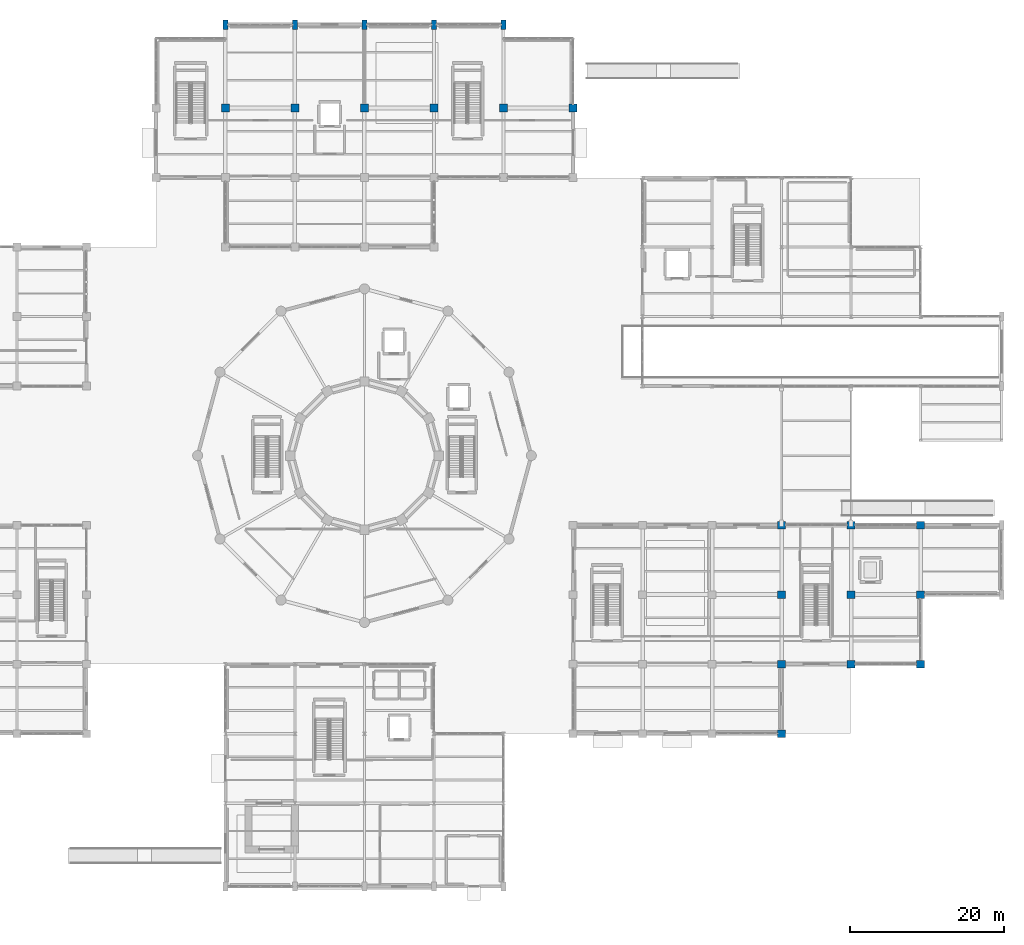
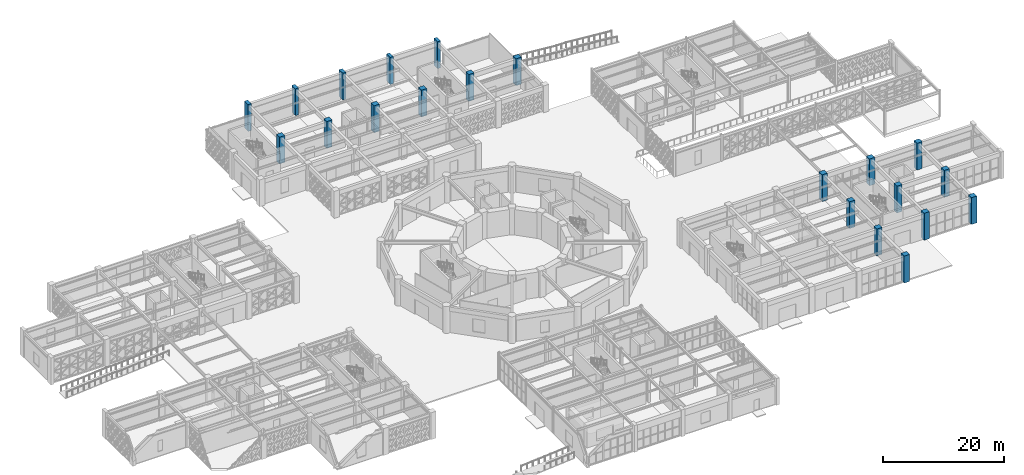
# One storey, part 5 of 140: 21 columns.
"""IFC4 building model written with IfcOpenShell, lengths in metres."""

from ifc_helpers import new_model, si_unit, direction, frame, origin, origin_2d, place, context, subcontext, project, spatial, rectangle, extrude, material, material_profile, profile_set, type_object, element, save


model = new_model("IFC4")

# Units and contexts
model_context = context("Model", 3, precision=1e-05, world=origin(), true_north=direction((0.0, 1.0)))
body_context = subcontext(model_context, "Body", "Model", "MODEL_VIEW")
ifc_project = project(units=[si_unit("LENGTHUNIT", "METRE"), si_unit("AREAUNIT", "SQUARE_METRE"), si_unit("VOLUMEUNIT", "CUBIC_METRE"), si_unit("PLANEANGLEUNIT", "RADIAN"), si_unit("MASSUNIT", "GRAM", prefix="KILO")], contexts=[model_context])

# Site, building, storey
site_placement = place(None, origin())
site = spatial("IfcSite", under=ifc_project, at=site_placement, CompositionType="ELEMENT")
building_placement = place(site_placement, origin())
building = spatial("IfcBuilding", under=site, at=building_placement, Name="Haizhuo Lancet Aquarium", CompositionType="ELEMENT")
storey_placement = place(building_placement, origin())
storey = spatial("IfcBuildingStorey", under=building, at=storey_placement, Name="L00", CompositionType="ELEMENT", Elevation=0.0)

# Columns
ifc_material_1 = material(Name="Concrete C50/60", Category="concrete")
ifc_material_profile_1 = material_profile(ifc_material_1, rectangle(XDim=1.0, YDim=1.0, at=origin_2d()), Name="RC-COL 1000x1000")
ifc_profile_set_1 = profile_set([ifc_material_profile_1], Name="Concrete C50/60")
column_type_1 = type_object("IfcColumnType", Name="COL-RC-1000", PredefinedType="COLUMN", material=ifc_profile_set_1)
for number, where, z_axis, x_axis, name in (
    (1, (54.0, -36.0, 0.0), (0.0, 0.0, 1.0), (1.0, 0.0, 0.0), "L00 column V3-COL-054"),
    (2, (54.0, -27.0, 0.0), (0.0, 0.0, 1.0), (1.0, 0.0, 0.0), "L00 column V3-COL-055"),
    (3, (54.0, -18.0, 0.0), (0.0, 0.0, 1.0), (1.0, 0.0, 0.0), "L00 column V3-COL-056"),
    (4, (54.0, -9.0, 0.0), (0.0, 0.0, 1.0), (1.0, 0.0, 0.0), "L00 column V3-COL-057"),
    (5, (63.0, -27.0, 0.0), (0.0, 0.0, 1.0), (1.0, 0.0, 0.0), "L00 column V3-COL-058"),
    (6, (63.0, -18.0, 0.0), (0.0, 0.0, 1.0), (1.0, 0.0, 0.0), "L00 column V3-COL-059"),
    (7, (63.0, -9.0, 0.0), (0.0, 0.0, 1.0), (1.0, 0.0, 0.0), "L00 column V3-COL-060"),
    (8, (72.0, -27.0, 0.0), (0.0, 0.0, 1.0), (1.0, 0.0, 0.0), "L00 column V3-COL-061"),
    (9, (72.0, -18.0, 0.0), (0.0, 0.0, 1.0), (1.0, 0.0, 0.0), "L00 column V3-COL-062"),
    (10, (72.0, -9.0, 0.0), (0.0, 0.0, 1.0), (1.0, 0.0, 0.0), "L00 column V3-COL-063"),
    (11, (-18.0, 45.0, 0.0), (0.0, 0.0, 1.0), (1.0, 0.0, 0.0), "L00 column V5-COL-089"),
    (12, (-9.0, 45.0, 0.0), (0.0, 0.0, 1.0), (1.0, 0.0, 0.0), "L00 column V5-COL-093"),
    (13, (0.0, 45.0, 0.0), (0.0, 0.0, 1.0), (1.0, 0.0, 0.0), "L00 column V5-COL-097"),
    (14, (9.0, 45.0, 0.0), (0.0, 0.0, 1.0), (1.0, 0.0, 0.0), "L00 column V5-COL-101"),
    (15, (18.0, 45.0, 0.0), (0.0, 0.0, 1.0), (1.0, 0.0, 0.0), "L00 column V5-COL-104"),
    (16, (27.0, 45.0, 0.0), (0.0, 0.0, 1.0), (1.0, 0.0, 0.0), "L00 column V5-COL-107"),
):
    element("IfcColumn", number, at=place(storey_placement, frame(where, z_axis=z_axis, x_axis=x_axis)), inside=storey, type_object=column_type_1, Name=name, PredefinedType="COLUMN", context=body_context, shape_type="SweptSolid", body=[
        extrude(rectangle(XDim=1.0, YDim=1.0, at=origin_2d()), origin(), (0.0, 0.0, 1.0), 5.39990234375),
    ])
ifc_material_2 = material(Name="Concrete C45/55", Category="concrete")
ifc_material_profile_2 = material_profile(ifc_material_2, rectangle(XDim=0.60009765625, YDim=1.199951171875, at=origin_2d()), Name="RC-PIL 600x1200")
ifc_profile_set_2 = profile_set([ifc_material_profile_2], Name="Concrete C45/55")
column_type_2 = type_object("IfcColumnType", Name="PIL-RC-600x1200", PredefinedType="PILASTER", material=ifc_profile_set_2)
for number, where, z_axis, x_axis, name in (
    (17, (-18.0, 55.800048828125, 0.0), (0.0, 0.0, 1.0), (1.0, 0.0, 0.0), "L00 column V5-COL-090"),
    (18, (-9.0, 55.800048828125, 0.0), (0.0, 0.0, 1.0), (1.0, 0.0, 0.0), "L00 column V5-COL-094"),
    (19, (0.0, 55.800048828125, 0.0), (0.0, 0.0, 1.0), (1.0, 0.0, 0.0), "L00 column V5-COL-098"),
    (20, (9.0, 55.800048828125, 0.0), (0.0, 0.0, 1.0), (1.0, 0.0, 0.0), "L00 column V5-COL-102"),
    (21, (18.0, 55.800048828125, 0.0), (0.0, 0.0, 1.0), (1.0, 0.0, 0.0), "L00 column V5-COL-105"),
):
    element("IfcColumn", number, at=place(storey_placement, frame(where, z_axis=z_axis, x_axis=x_axis)), inside=storey, type_object=column_type_2, Name=name, PredefinedType="PILASTER", context=body_context, shape_type="SweptSolid", body=[
        extrude(rectangle(XDim=0.60009765625, YDim=1.199951171875, at=origin_2d()), origin(), (0.0, 0.0, 1.0), 5.39990234375),
    ])

save(model, "model.ifc")
